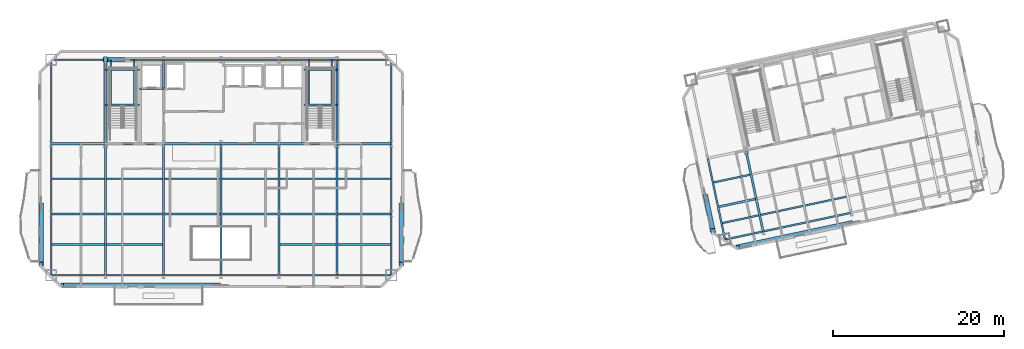
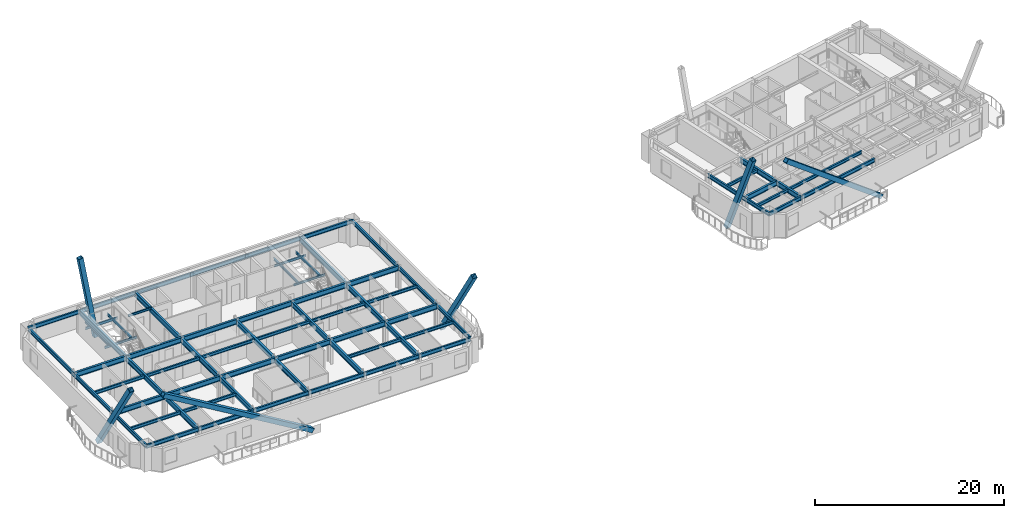
# One storey, part 3 of 13: 72 beams, 6 members.
"""IFC4 building model written with IfcOpenShell, lengths in metres."""

from ifc_helpers import new_model, si_unit, direction, frame, origin, origin_2d, place, context, subcontext, project, spatial, hollow_rectangle, i_section, extrude, material, material_profile, profile_set, type_object, element, save


model = new_model("IFC4")

# Units and contexts
model_context = context("Model", 3, precision=1e-05, world=origin(), true_north=direction((0.0, 1.0)))
body_context = subcontext(model_context, "Body", "Model", "MODEL_VIEW")
ifc_project = project(units=[si_unit("LENGTHUNIT", "METRE"), si_unit("AREAUNIT", "SQUARE_METRE"), si_unit("VOLUMEUNIT", "CUBIC_METRE"), si_unit("PLANEANGLEUNIT", "RADIAN"), si_unit("MASSUNIT", "GRAM", prefix="KILO")], contexts=[model_context])

# Site, building, storey
site_placement = place(None, origin())
site = spatial("IfcSite", under=ifc_project, at=site_placement, CompositionType="ELEMENT")
building_placement = place(site_placement, origin())
building = spatial("IfcBuilding", under=site, at=building_placement, Name="Haevon Station Towers", CompositionType="ELEMENT")
storey_placement = place(building_placement, frame((0.0, 0.0, 146.10009765625)))
storey = spatial("IfcBuildingStorey", under=building, at=storey_placement, Name="L39", CompositionType="ELEMENT", Elevation=146.10009765625)

# Beams
ifc_material_1 = material(Name="Steel S355", Category="steel")
ifc_material_profile_1 = material_profile(ifc_material_1, i_section(OverallWidth=0.25, OverallDepth=0.64990234375, WebThickness=0.012939453125, FlangeThickness=0.02197265625, at=origin_2d()), Name="H-650x250x13x22")
ifc_profile_set_1 = profile_set([ifc_material_profile_1], Name="Steel S355")
beam_type_1 = type_object("IfcBeamType", Name="BM-G650", PredefinedType="BEAM", material=ifc_profile_set_1)
beam_1_placement = place(storey_placement, frame((17.64990234375, 30.0, 2.724853515625), z_axis=(1.0, 0.0, 0.0), x_axis=(0.0, 1.0, 0.0)))
element("IfcBeam", 1, at=beam_1_placement, inside=storey, type_object=beam_type_1, Name="BM-T1U-L39-02-01", PredefinedType="BEAM", context=body_context, shape_type="SweptSolid", body=[
    extrude(i_section(OverallWidth=0.25, OverallDepth=0.64990234375, WebThickness=0.012939453125, FlangeThickness=0.02197265625, at=origin_2d()), origin(), (0.0, 0.0, 1.0), 6.35009765625),
])
for number, where, z_axis, x_axis, name in (
    (2, (24.0, 30.0, 2.724853515625), (1.0, 0.0, 0.0), (0.0, 1.0, 0.0), "BM-T1U-L39-02-02"),
    (3, (30.75, 30.0, 2.724853515625), (1.0, 0.0, 0.0), (0.0, 1.0, 0.0), "BM-T1U-L39-02-03"),
    (4, (37.5, 30.0, 2.724853515625), (1.0, 0.0, 0.0), (0.0, 1.0, 0.0), "BM-T1U-L39-02-04"),
    (5, (44.25, 30.0, 2.724853515625), (1.0, 0.0, 0.0), (0.0, 1.0, 0.0), "BM-T1U-L39-02-05"),
):
    element("IfcBeam", number, at=place(storey_placement, frame(where, z_axis=z_axis, x_axis=x_axis)), inside=storey, type_object=beam_type_1, Name=name, PredefinedType="BEAM", context=body_context, shape_type="SweptSolid", body=[
        extrude(i_section(OverallWidth=0.25, OverallDepth=0.64990234375, WebThickness=0.012939453125, FlangeThickness=0.02197265625, at=origin_2d()), origin(), (0.0, 0.0, 1.0), 6.75),
    ])
for number, where, z_axis, x_axis, name in (
    (6, (51.0, 30.0, 2.724853515625), (1.0, 0.0, 0.0), (0.0, 1.0, 0.0), "BM-T1U-L39-02-06"),
    (7, (17.64990234375, 38.199951171875, 2.724853515625), (1.0, 0.0, 0.0), (0.0, 1.0, 0.0), "BM-T1U-L39-03-01"),
):
    element("IfcBeam", number, at=place(storey_placement, frame(where, z_axis=z_axis, x_axis=x_axis)), inside=storey, type_object=beam_type_1, Name=name, PredefinedType="BEAM", context=body_context, shape_type="SweptSolid", body=[
        extrude(i_section(OverallWidth=0.25, OverallDepth=0.64990234375, WebThickness=0.012939453125, FlangeThickness=0.02197265625, at=origin_2d()), origin(), (0.0, 0.0, 1.0), 6.35009765625),
    ])
for number, where, z_axis, x_axis, name in (
    (8, (24.0, 38.199951171875, 2.724853515625), (1.0, 0.0, 0.0), (0.0, 1.0, 0.0), "BM-T1U-L39-03-02"),
    (9, (30.75, 38.199951171875, 2.724853515625), (1.0, 0.0, 0.0), (0.0, 1.0, 0.0), "BM-T1U-L39-03-03"),
    (10, (37.5, 38.199951171875, 2.724853515625), (1.0, 0.0, 0.0), (0.0, 1.0, 0.0), "BM-T1U-L39-03-04"),
    (11, (44.25, 38.199951171875, 2.724853515625), (1.0, 0.0, 0.0), (0.0, 1.0, 0.0), "BM-T1U-L39-03-05"),
):
    element("IfcBeam", number, at=place(storey_placement, frame(where, z_axis=z_axis, x_axis=x_axis)), inside=storey, type_object=beam_type_1, Name=name, PredefinedType="BEAM", context=body_context, shape_type="SweptSolid", body=[
        extrude(i_section(OverallWidth=0.25, OverallDepth=0.64990234375, WebThickness=0.012939453125, FlangeThickness=0.02197265625, at=origin_2d()), origin(), (0.0, 0.0, 1.0), 6.75),
    ])
beam_2_placement = place(storey_placement, frame((51.0, 38.199951171875, 2.724853515625), z_axis=(1.0, 0.0, 0.0), x_axis=(0.0, 1.0, 0.0)))
element("IfcBeam", 12, at=beam_2_placement, inside=storey, type_object=beam_type_1, Name="BM-T1U-L39-03-06", PredefinedType="BEAM", context=body_context, shape_type="SweptSolid", body=[
    extrude(i_section(OverallWidth=0.25, OverallDepth=0.64990234375, WebThickness=0.012939453125, FlangeThickness=0.02197265625, at=origin_2d()), origin(), (0.0, 0.0, 1.0), 6.35009765625),
])
beam_3_placement = place(storey_placement, frame((24.0, 22.85009765625, 2.724853515625), z_axis=(0.0, 1.0, 0.0), x_axis=(-1.0, 0.0, 0.0)))
element("IfcBeam", 13, at=beam_3_placement, inside=storey, type_object=beam_type_1, Name="BM-T1V-L39-02-01", PredefinedType="BEAM", context=body_context, shape_type="SweptSolid", body=[
    extrude(i_section(OverallWidth=0.25, OverallDepth=0.64990234375, WebThickness=0.012939453125, FlangeThickness=0.02197265625, at=origin_2d()), origin(), (0.0, 0.0, 1.0), 7.14990234375),
])
beam_4_placement = place(storey_placement, frame((24.0, 30.0, 2.724853515625), z_axis=(0.0, 1.0, 0.0), x_axis=(-1.0, 0.0, 0.0)))
element("IfcBeam", 14, at=beam_4_placement, inside=storey, type_object=beam_type_1, Name="BM-T1V-L39-02-02", PredefinedType="BEAM", context=body_context, shape_type="SweptSolid", body=[
    extrude(i_section(OverallWidth=0.25, OverallDepth=0.64990234375, WebThickness=0.012939453125, FlangeThickness=0.02197265625, at=origin_2d()), origin(), (0.0, 0.0, 1.0), 8.199951171875),
])
beam_5_placement = place(storey_placement, frame((24.0, 38.199951171875, 2.724853515625), z_axis=(0.0, 1.0, 0.0), x_axis=(-1.0, 0.0, 0.0)))
element("IfcBeam", 15, at=beam_5_placement, inside=storey, type_object=beam_type_1, Name="BM-T1V-L39-02-03", PredefinedType="BEAM", context=body_context, shape_type="SweptSolid", body=[
    extrude(i_section(OverallWidth=0.25, OverallDepth=0.64990234375, WebThickness=0.012939453125, FlangeThickness=0.02197265625, at=origin_2d()), origin(), (0.0, 0.0, 1.0), 9.800048828125),
])
beam_6_placement = place(storey_placement, frame((30.75, 22.85009765625, 2.724853515625), z_axis=(0.0, 1.0, 0.0), x_axis=(-1.0, 0.0, 0.0)))
element("IfcBeam", 16, at=beam_6_placement, inside=storey, type_object=beam_type_1, Name="BM-T1V-L39-03-01", PredefinedType="BEAM", context=body_context, shape_type="SweptSolid", body=[
    extrude(i_section(OverallWidth=0.25, OverallDepth=0.64990234375, WebThickness=0.012939453125, FlangeThickness=0.02197265625, at=origin_2d()), origin(), (0.0, 0.0, 1.0), 7.14990234375),
])
beam_7_placement = place(storey_placement, frame((30.75, 30.0, 2.724853515625), z_axis=(0.0, 1.0, 0.0), x_axis=(-1.0, 0.0, 0.0)))
element("IfcBeam", 17, at=beam_7_placement, inside=storey, type_object=beam_type_1, Name="BM-T1V-L39-03-02", PredefinedType="BEAM", context=body_context, shape_type="SweptSolid", body=[
    extrude(i_section(OverallWidth=0.25, OverallDepth=0.64990234375, WebThickness=0.012939453125, FlangeThickness=0.02197265625, at=origin_2d()), origin(), (0.0, 0.0, 1.0), 8.199951171875),
])
beam_8_placement = place(storey_placement, frame((30.75, 38.199951171875, 2.724853515625), z_axis=(0.0, 1.0, 0.0), x_axis=(-1.0, 0.0, 0.0)))
element("IfcBeam", 18, at=beam_8_placement, inside=storey, type_object=beam_type_1, Name="BM-T1V-L39-03-03", PredefinedType="BEAM", context=body_context, shape_type="SweptSolid", body=[
    extrude(i_section(OverallWidth=0.25, OverallDepth=0.64990234375, WebThickness=0.012939453125, FlangeThickness=0.02197265625, at=origin_2d()), origin(), (0.0, 0.0, 1.0), 9.800048828125),
])
beam_9_placement = place(storey_placement, frame((37.5, 22.85009765625, 2.724853515625), z_axis=(0.0, 1.0, 0.0), x_axis=(-1.0, 0.0, 0.0)))
element("IfcBeam", 19, at=beam_9_placement, inside=storey, type_object=beam_type_1, Name="BM-T1V-L39-04-01", PredefinedType="BEAM", context=body_context, shape_type="SweptSolid", body=[
    extrude(i_section(OverallWidth=0.25, OverallDepth=0.64990234375, WebThickness=0.012939453125, FlangeThickness=0.02197265625, at=origin_2d()), origin(), (0.0, 0.0, 1.0), 7.14990234375),
])
beam_10_placement = place(storey_placement, frame((37.5, 30.0, 2.724853515625), z_axis=(0.0, 1.0, 0.0), x_axis=(-1.0, 0.0, 0.0)))
element("IfcBeam", 20, at=beam_10_placement, inside=storey, type_object=beam_type_1, Name="BM-T1V-L39-04-02", PredefinedType="BEAM", context=body_context, shape_type="SweptSolid", body=[
    extrude(i_section(OverallWidth=0.25, OverallDepth=0.64990234375, WebThickness=0.012939453125, FlangeThickness=0.02197265625, at=origin_2d()), origin(), (0.0, 0.0, 1.0), 8.199951171875),
])
beam_11_placement = place(storey_placement, frame((44.25, 22.85009765625, 2.724853515625), z_axis=(0.0, 1.0, 0.0), x_axis=(-1.0, 0.0, 0.0)))
element("IfcBeam", 21, at=beam_11_placement, inside=storey, type_object=beam_type_1, Name="BM-T1V-L39-05-01", PredefinedType="BEAM", context=body_context, shape_type="SweptSolid", body=[
    extrude(i_section(OverallWidth=0.25, OverallDepth=0.64990234375, WebThickness=0.012939453125, FlangeThickness=0.02197265625, at=origin_2d()), origin(), (0.0, 0.0, 1.0), 7.14990234375),
])
beam_12_placement = place(storey_placement, frame((44.25, 30.0, 2.724853515625), z_axis=(0.0, 1.0, 0.0), x_axis=(-1.0, 0.0, 0.0)))
element("IfcBeam", 22, at=beam_12_placement, inside=storey, type_object=beam_type_1, Name="BM-T1V-L39-05-02", PredefinedType="BEAM", context=body_context, shape_type="SweptSolid", body=[
    extrude(i_section(OverallWidth=0.25, OverallDepth=0.64990234375, WebThickness=0.012939453125, FlangeThickness=0.02197265625, at=origin_2d()), origin(), (0.0, 0.0, 1.0), 8.199951171875),
])
beam_13_placement = place(storey_placement, frame((51.0, 22.85009765625, 2.724853515625), z_axis=(0.0, 1.0, 0.0), x_axis=(-1.0, 0.0, 0.0)))
element("IfcBeam", 23, at=beam_13_placement, inside=storey, type_object=beam_type_1, Name="BM-T1V-L39-06-01", PredefinedType="BEAM", context=body_context, shape_type="SweptSolid", body=[
    extrude(i_section(OverallWidth=0.25, OverallDepth=0.64990234375, WebThickness=0.012939453125, FlangeThickness=0.02197265625, at=origin_2d()), origin(), (0.0, 0.0, 1.0), 7.14990234375),
])
beam_14_placement = place(storey_placement, frame((51.0, 30.0, 2.724853515625), z_axis=(0.0, 1.0, 0.0), x_axis=(-1.0, 0.0, 0.0)))
element("IfcBeam", 24, at=beam_14_placement, inside=storey, type_object=beam_type_1, Name="BM-T1V-L39-06-02", PredefinedType="BEAM", context=body_context, shape_type="SweptSolid", body=[
    extrude(i_section(OverallWidth=0.25, OverallDepth=0.64990234375, WebThickness=0.012939453125, FlangeThickness=0.02197265625, at=origin_2d()), origin(), (0.0, 0.0, 1.0), 8.199951171875),
])
beam_15_placement = place(storey_placement, frame((51.0, 38.199951171875, 2.724853515625), z_axis=(0.0, 1.0, 0.0), x_axis=(-1.0, 0.0, 0.0)))
element("IfcBeam", 25, at=beam_15_placement, inside=storey, type_object=beam_type_1, Name="BM-T1V-L39-06-03", PredefinedType="BEAM", context=body_context, shape_type="SweptSolid", body=[
    extrude(i_section(OverallWidth=0.25, OverallDepth=0.64990234375, WebThickness=0.012939453125, FlangeThickness=0.02197265625, at=origin_2d()), origin(), (0.0, 0.0, 1.0), 9.800048828125),
])
beam_16_placement = place(storey_placement, frame((95.507568359375, 30.8232421875, 2.724853515625), z_axis=(0.978157487225, 0.207865173094, 0.0), x_axis=(-0.207865173094, 0.978157487225, 0.0)))
element("IfcBeam", 26, at=beam_16_placement, inside=storey, type_object=beam_type_1, Name="BM-T2U-L39-02-01", PredefinedType="BEAM", context=body_context, shape_type="SweptSolid", body=[
    extrude(i_section(OverallWidth=0.25, OverallDepth=0.64990234375, WebThickness=0.012939453125, FlangeThickness=0.02197265625, at=origin_2d()), origin(), (0.0, 0.0, 1.0), 4.550048828125),
])
beam_17_placement = place(storey_placement, frame((100.76904296875, 27.954345703125, 2.724853515625), z_axis=(-0.207899934746, 0.97815009949, 0.0), x_axis=(-0.97815009949, -0.207899934746, 0.0)))
element("IfcBeam", 27, at=beam_17_placement, inside=storey, type_object=beam_type_1, Name="BM-T2V-L39-02-01", PredefinedType="BEAM", context=body_context, shape_type="SweptSolid", body=[
    extrude(i_section(OverallWidth=0.25, OverallDepth=0.64990234375, WebThickness=0.012939453125, FlangeThickness=0.02197265625, at=origin_2d()), origin(), (0.0, 0.0, 1.0), 3.89990234375),
])
beam_18_placement = place(storey_placement, frame((99.958251953125, 31.76904296875, 2.724853515625), z_axis=(-0.207896009217, 0.97815093383, 0.0), x_axis=(-0.97815093383, -0.207896009217, 0.0)))
element("IfcBeam", 28, at=beam_18_placement, inside=storey, type_object=beam_type_1, Name="BM-T2V-L39-02-02", PredefinedType="BEAM", context=body_context, shape_type="SweptSolid", body=[
    extrude(i_section(OverallWidth=0.25, OverallDepth=0.64990234375, WebThickness=0.012939453125, FlangeThickness=0.02197265625, at=origin_2d()), origin(), (0.0, 0.0, 1.0), 5.800048828125),
])
ifc_material_profile_2 = material_profile(ifc_material_1, i_section(OverallWidth=0.199951171875, OverallDepth=0.39990234375, WebThickness=0.008056640625, FlangeThickness=0.012939453125, at=origin_2d()), Name="H-400x200x8x13")
ifc_profile_set_2 = profile_set([ifc_material_profile_2], Name="Steel S355")
beam_type_2 = type_object("IfcBeamType", Name="BM-J400", PredefinedType="JOIST", material=ifc_profile_set_2)
beam_19_placement = place(storey_placement, frame((17.760009765625, 26.425048828125, 2.849853515625), z_axis=(1.0, 0.0, 0.0), x_axis=(0.0, 1.0, 0.0)))
element("IfcBeam", 29, at=beam_19_placement, inside=storey, type_object=beam_type_2, Name="BM-T1J-L39-01-01", PredefinedType="JOIST", context=body_context, shape_type="SweptSolid", body=[
    extrude(i_section(OverallWidth=0.199951171875, OverallDepth=0.39990234375, WebThickness=0.008056640625, FlangeThickness=0.012939453125, at=origin_2d()), origin(), (0.0, 0.0, 1.0), 6.1298828125),
])
for number, where, z_axis, x_axis, name in (
    (30, (24.110107421875, 26.425048828125, 2.849853515625), (1.0, 0.0, 0.0), (0.0, 1.0, 0.0), "BM-T1J-L39-01-02"),
    (31, (44.360107421875, 26.425048828125, 2.849853515625), (1.0, 0.0, 0.0), (0.0, 1.0, 0.0), "BM-T1J-L39-01-05"),
):
    element("IfcBeam", number, at=place(storey_placement, frame(where, z_axis=z_axis, x_axis=x_axis)), inside=storey, type_object=beam_type_2, Name=name, PredefinedType="JOIST", context=body_context, shape_type="SweptSolid", body=[
        extrude(i_section(OverallWidth=0.199951171875, OverallDepth=0.39990234375, WebThickness=0.008056640625, FlangeThickness=0.012939453125, at=origin_2d()), origin(), (0.0, 0.0, 1.0), 6.52978515625),
    ])
for number, where, z_axis, x_axis, name in (
    (32, (51.110107421875, 26.425048828125, 2.849853515625), (1.0, 0.0, 0.0), (0.0, 1.0, 0.0), "BM-T1J-L39-01-06"),
    (33, (17.760009765625, 34.10009765625, 2.849853515625), (1.0, 0.0, 0.0), (0.0, 1.0, 0.0), "BM-T1J-L39-02-01"),
):
    element("IfcBeam", number, at=place(storey_placement, frame(where, z_axis=z_axis, x_axis=x_axis)), inside=storey, type_object=beam_type_2, Name=name, PredefinedType="JOIST", context=body_context, shape_type="SweptSolid", body=[
        extrude(i_section(OverallWidth=0.199951171875, OverallDepth=0.39990234375, WebThickness=0.008056640625, FlangeThickness=0.012939453125, at=origin_2d()), origin(), (0.0, 0.0, 1.0), 6.1298828125),
    ])
for number, where, z_axis, x_axis, name in (
    (34, (24.110107421875, 34.10009765625, 2.849853515625), (1.0, 0.0, 0.0), (0.0, 1.0, 0.0), "BM-T1J-L39-02-02"),
    (35, (30.860107421875, 34.10009765625, 2.849853515625), (1.0, 0.0, 0.0), (0.0, 1.0, 0.0), "BM-T1J-L39-02-03"),
    (36, (37.610107421875, 34.10009765625, 2.849853515625), (1.0, 0.0, 0.0), (0.0, 1.0, 0.0), "BM-T1J-L39-02-04"),
    (37, (44.360107421875, 34.10009765625, 2.849853515625), (1.0, 0.0, 0.0), (0.0, 1.0, 0.0), "BM-T1J-L39-02-05"),
):
    element("IfcBeam", number, at=place(storey_placement, frame(where, z_axis=z_axis, x_axis=x_axis)), inside=storey, type_object=beam_type_2, Name=name, PredefinedType="JOIST", context=body_context, shape_type="SweptSolid", body=[
        extrude(i_section(OverallWidth=0.199951171875, OverallDepth=0.39990234375, WebThickness=0.008056640625, FlangeThickness=0.012939453125, at=origin_2d()), origin(), (0.0, 0.0, 1.0), 6.52978515625),
    ])
beam_20_placement = place(storey_placement, frame((51.110107421875, 34.10009765625, 2.849853515625), z_axis=(1.0, 0.0, 0.0), x_axis=(0.0, 1.0, 0.0)))
element("IfcBeam", 38, at=beam_20_placement, inside=storey, type_object=beam_type_2, Name="BM-T1J-L39-02-06", PredefinedType="JOIST", context=body_context, shape_type="SweptSolid", body=[
    extrude(i_section(OverallWidth=0.199951171875, OverallDepth=0.39990234375, WebThickness=0.008056640625, FlangeThickness=0.012939453125, at=origin_2d()), origin(), (0.0, 0.0, 1.0), 6.1298828125),
])
beam_21_placement = place(storey_placement, frame((96.020751953125, 28.938720703125, 2.849853515625), z_axis=(0.978152545287, 0.207888427166, 0.0), x_axis=(-0.207888427166, 0.978152545287, 0.0)))
element("IfcBeam", 39, at=beam_21_placement, inside=storey, type_object=beam_type_2, Name="BM-T2J-L39-01-01", PredefinedType="JOIST", context=body_context, shape_type="SweptSolid", body=[
    extrude(i_section(OverallWidth=0.199951171875, OverallDepth=0.39990234375, WebThickness=0.008056640625, FlangeThickness=0.012939453125, at=origin_2d()), origin(), (0.0, 0.0, 1.0), 4.329833984375),
])
beam_22_placement = place(storey_placement, frame((100.47119140625, 29.884521484375, 2.849853515625), z_axis=(0.978145509903, 0.207921527161, 0.0), x_axis=(-0.207921527161, 0.978145509903, 0.0)))
element("IfcBeam", 40, at=beam_22_placement, inside=storey, type_object=beam_type_2, Name="BM-T2J-L39-01-02", PredefinedType="JOIST", context=body_context, shape_type="SweptSolid", body=[
    extrude(i_section(OverallWidth=0.199951171875, OverallDepth=0.39990234375, WebThickness=0.008056640625, FlangeThickness=0.012939453125, at=origin_2d()), origin(), (0.0, 0.0, 1.0), 10.280029296875),
])
beam_23_placement = place(storey_placement, frame((95.01220703125, 33.6826171875, 2.849853515625), z_axis=(0.978143516228, 0.20793090598, 0.0), x_axis=(-0.20793090598, 0.978143516228, 0.0)))
element("IfcBeam", 41, at=beam_23_placement, inside=storey, type_object=beam_type_2, Name="BM-T2J-L39-02-01", PredefinedType="JOIST", context=body_context, shape_type="SweptSolid", body=[
    extrude(i_section(OverallWidth=0.199951171875, OverallDepth=0.39990234375, WebThickness=0.008056640625, FlangeThickness=0.012939453125, at=origin_2d()), origin(), (0.0, 0.0, 1.0), 4.330322265625),
])
ifc_material_profile_3 = material_profile(ifc_material_1, i_section(OverallWidth=0.14990234375, OverallDepth=0.300048828125, WebThickness=0.006591796875, FlangeThickness=0.009033203125, at=origin_2d()), Name="H-300x150x6.5x9")
ifc_profile_set_3 = profile_set([ifc_material_profile_3], Name="Steel S355")
beam_type_3 = type_object("IfcBeamType", Name="BM-LIN300", PredefinedType="LINTEL", material=ifc_profile_set_3)
for number, where, z_axis, x_axis, name in (
    (42, (24.0, 42.743896484375, 1.2998046875), (1.0, 0.0, 0.0), (0.0, 1.0, 0.0), "BM-ST1L-L39-1-S"),
    (43, (24.0, 46.820068359375, 1.2998046875), (1.0, 0.0, 0.0), (0.0, 1.0, 0.0), "BM-ST1L-L39-1-N"),
):
    element("IfcBeam", number, at=place(storey_placement, frame(where, z_axis=z_axis, x_axis=x_axis)), inside=storey, type_object=beam_type_3, Name=name, PredefinedType="LINTEL", context=body_context, shape_type="SweptSolid", body=[
        extrude(i_section(OverallWidth=0.14990234375, OverallDepth=0.300048828125, WebThickness=0.006591796875, FlangeThickness=0.009033203125, at=origin_2d()), origin(), (0.0, 0.0, 1.0), 3.949951171875),
    ])
for number, where, z_axis, x_axis, name in (
    (44, (24.60009765625, 42.743896484375, 1.2998046875), (0.0, 1.0, 0.0), (-1.0, 0.0, 0.0), "BM-ST1L-L39-1-W"),
    (45, (27.35009765625, 42.743896484375, 1.2998046875), (0.0, 1.0, 0.0), (-1.0, 0.0, 0.0), "BM-ST1L-L39-1-E"),
):
    element("IfcBeam", number, at=place(storey_placement, frame(where, z_axis=z_axis, x_axis=x_axis)), inside=storey, type_object=beam_type_3, Name=name, PredefinedType="LINTEL", context=body_context, shape_type="SweptSolid", body=[
        extrude(i_section(OverallWidth=0.14990234375, OverallDepth=0.300048828125, WebThickness=0.006591796875, FlangeThickness=0.009033203125, at=origin_2d()), origin(), (0.0, 0.0, 1.0), 5.256103515625),
    ])
for number, where, z_axis, x_axis, name in (
    (46, (47.14990234375, 42.743896484375, 1.2998046875), (1.0, 0.0, 0.0), (0.0, 1.0, 0.0), "BM-ST2L-L39-1-S"),
    (47, (47.14990234375, 46.820068359375, 1.2998046875), (1.0, 0.0, 0.0), (0.0, 1.0, 0.0), "BM-ST2L-L39-1-N"),
):
    element("IfcBeam", number, at=place(storey_placement, frame(where, z_axis=z_axis, x_axis=x_axis)), inside=storey, type_object=beam_type_3, Name=name, PredefinedType="LINTEL", context=body_context, shape_type="SweptSolid", body=[
        extrude(i_section(OverallWidth=0.14990234375, OverallDepth=0.300048828125, WebThickness=0.006591796875, FlangeThickness=0.009033203125, at=origin_2d()), origin(), (0.0, 0.0, 1.0), 3.85009765625),
    ])
for number, where, z_axis, x_axis, name in (
    (48, (47.75, 42.743896484375, 1.2998046875), (0.0, 1.0, 0.0), (-1.0, 0.0, 0.0), "BM-ST2L-L39-1-W"),
    (49, (50.39990234375, 42.743896484375, 1.2998046875), (0.0, 1.0, 0.0), (-1.0, 0.0, 0.0), "BM-ST2L-L39-1-E"),
):
    element("IfcBeam", number, at=place(storey_placement, frame(where, z_axis=z_axis, x_axis=x_axis)), inside=storey, type_object=beam_type_3, Name=name, PredefinedType="LINTEL", context=body_context, shape_type="SweptSolid", body=[
        extrude(i_section(OverallWidth=0.14990234375, OverallDepth=0.300048828125, WebThickness=0.006591796875, FlangeThickness=0.009033203125, at=origin_2d()), origin(), (0.0, 0.0, 1.0), 5.256103515625),
    ])
beam_24_placement = place(storey_placement, frame((27.949951171875, 44.60009765625, 2.89990234375), z_axis=(1.0, 0.0, 0.0), x_axis=(0.0, 1.0, 0.0)))
element("IfcBeam", 50, at=beam_24_placement, inside=storey, type_object=beam_type_3, Name="BM-T1LIN-L39", PredefinedType="LINTEL", context=body_context, shape_type="SweptSolid", body=[
    extrude(i_section(OverallWidth=0.14990234375, OverallDepth=0.300048828125, WebThickness=0.006591796875, FlangeThickness=0.009033203125, at=origin_2d()), origin(), (0.0, 0.0, 1.0), 2.85009765625),
])
ifc_material_profile_4 = material_profile(ifc_material_1, i_section(OverallWidth=0.199951171875, OverallDepth=0.5, WebThickness=0.010009765625, FlangeThickness=0.01611328125, at=origin_2d()), Name="H-500x200x10x16")
ifc_profile_set_4 = profile_set([ifc_material_profile_4], Name="Steel S355")
beam_type_4 = type_object("IfcBeamType", Name="BM-SP500", PredefinedType="SPANDREL", material=ifc_profile_set_4)
beam_25_placement = place(storey_placement, frame((17.64990234375, 22.85009765625, 2.7998046875), z_axis=(1.0, 0.0, 0.0), x_axis=(0.0, 1.0, 0.0)))
element("IfcBeam", 51, at=beam_25_placement, inside=storey, type_object=beam_type_4, Name="BM-T1U-L39-01-01", PredefinedType="SPANDREL", context=body_context, shape_type="SweptSolid", body=[
    extrude(i_section(OverallWidth=0.199951171875, OverallDepth=0.5, WebThickness=0.010009765625, FlangeThickness=0.01611328125, at=origin_2d()), origin(), (0.0, 0.0, 1.0), 6.35009765625),
])
for number, where, z_axis, x_axis, name in (
    (52, (24.0, 22.85009765625, 2.7998046875), (1.0, 0.0, 0.0), (0.0, 1.0, 0.0), "BM-T1U-L39-01-02"),
    (53, (30.75, 22.85009765625, 2.7998046875), (1.0, 0.0, 0.0), (0.0, 1.0, 0.0), "BM-T1U-L39-01-03"),
    (54, (37.5, 22.85009765625, 2.7998046875), (1.0, 0.0, 0.0), (0.0, 1.0, 0.0), "BM-T1U-L39-01-04"),
    (55, (44.25, 22.85009765625, 2.7998046875), (1.0, 0.0, 0.0), (0.0, 1.0, 0.0), "BM-T1U-L39-01-05"),
):
    element("IfcBeam", number, at=place(storey_placement, frame(where, z_axis=z_axis, x_axis=x_axis)), inside=storey, type_object=beam_type_4, Name=name, PredefinedType="SPANDREL", context=body_context, shape_type="SweptSolid", body=[
        extrude(i_section(OverallWidth=0.199951171875, OverallDepth=0.5, WebThickness=0.010009765625, FlangeThickness=0.01611328125, at=origin_2d()), origin(), (0.0, 0.0, 1.0), 6.75),
    ])
for number, where, z_axis, x_axis, name in (
    (56, (51.0, 22.85009765625, 2.7998046875), (1.0, 0.0, 0.0), (0.0, 1.0, 0.0), "BM-T1U-L39-01-06"),
    (57, (17.64990234375, 48.0, 2.7998046875), (1.0, 0.0, 0.0), (0.0, 1.0, 0.0), "BM-T1U-L39-04-01"),
):
    element("IfcBeam", number, at=place(storey_placement, frame(where, z_axis=z_axis, x_axis=x_axis)), inside=storey, type_object=beam_type_4, Name=name, PredefinedType="SPANDREL", context=body_context, shape_type="SweptSolid", body=[
        extrude(i_section(OverallWidth=0.199951171875, OverallDepth=0.5, WebThickness=0.010009765625, FlangeThickness=0.01611328125, at=origin_2d()), origin(), (0.0, 0.0, 1.0), 6.35009765625),
    ])
for number, where, z_axis, x_axis, name in (
    (58, (24.0, 48.0, 2.7998046875), (1.0, 0.0, 0.0), (0.0, 1.0, 0.0), "BM-T1U-L39-04-02"),
    (59, (30.75, 48.0, 2.7998046875), (1.0, 0.0, 0.0), (0.0, 1.0, 0.0), "BM-T1U-L39-04-03"),
    (60, (37.5, 48.0, 2.7998046875), (1.0, 0.0, 0.0), (0.0, 1.0, 0.0), "BM-T1U-L39-04-04"),
    (61, (44.25, 48.0, 2.7998046875), (1.0, 0.0, 0.0), (0.0, 1.0, 0.0), "BM-T1U-L39-04-05"),
):
    element("IfcBeam", number, at=place(storey_placement, frame(where, z_axis=z_axis, x_axis=x_axis)), inside=storey, type_object=beam_type_4, Name=name, PredefinedType="SPANDREL", context=body_context, shape_type="SweptSolid", body=[
        extrude(i_section(OverallWidth=0.199951171875, OverallDepth=0.5, WebThickness=0.010009765625, FlangeThickness=0.01611328125, at=origin_2d()), origin(), (0.0, 0.0, 1.0), 6.75),
    ])
beam_26_placement = place(storey_placement, frame((51.0, 48.0, 2.7998046875), z_axis=(1.0, 0.0, 0.0), x_axis=(0.0, 1.0, 0.0)))
element("IfcBeam", 62, at=beam_26_placement, inside=storey, type_object=beam_type_4, Name="BM-T1U-L39-04-06", PredefinedType="SPANDREL", context=body_context, shape_type="SweptSolid", body=[
    extrude(i_section(OverallWidth=0.199951171875, OverallDepth=0.5, WebThickness=0.010009765625, FlangeThickness=0.01611328125, at=origin_2d()), origin(), (0.0, 0.0, 1.0), 6.35009765625),
])
beam_27_placement = place(storey_placement, frame((17.64990234375, 22.85009765625, 2.7998046875), z_axis=(0.0, 1.0, 0.0), x_axis=(-1.0, 0.0, 0.0)))
element("IfcBeam", 63, at=beam_27_placement, inside=storey, type_object=beam_type_4, Name="BM-T1V-L39-01-01", PredefinedType="SPANDREL", context=body_context, shape_type="SweptSolid", body=[
    extrude(i_section(OverallWidth=0.199951171875, OverallDepth=0.5, WebThickness=0.010009765625, FlangeThickness=0.01611328125, at=origin_2d()), origin(), (0.0, 0.0, 1.0), 7.14990234375),
])
beam_28_placement = place(storey_placement, frame((17.64990234375, 30.0, 2.7998046875), z_axis=(0.0, 1.0, 0.0), x_axis=(-1.0, 0.0, 0.0)))
element("IfcBeam", 64, at=beam_28_placement, inside=storey, type_object=beam_type_4, Name="BM-T1V-L39-01-02", PredefinedType="SPANDREL", context=body_context, shape_type="SweptSolid", body=[
    extrude(i_section(OverallWidth=0.199951171875, OverallDepth=0.5, WebThickness=0.010009765625, FlangeThickness=0.01611328125, at=origin_2d()), origin(), (0.0, 0.0, 1.0), 8.199951171875),
])
beam_29_placement = place(storey_placement, frame((17.64990234375, 38.199951171875, 2.7998046875), z_axis=(0.0, 1.0, 0.0), x_axis=(-1.0, 0.0, 0.0)))
element("IfcBeam", 65, at=beam_29_placement, inside=storey, type_object=beam_type_4, Name="BM-T1V-L39-01-03", PredefinedType="SPANDREL", context=body_context, shape_type="SweptSolid", body=[
    extrude(i_section(OverallWidth=0.199951171875, OverallDepth=0.5, WebThickness=0.010009765625, FlangeThickness=0.01611328125, at=origin_2d()), origin(), (0.0, 0.0, 1.0), 9.800048828125),
])
beam_30_placement = place(storey_placement, frame((57.35009765625, 22.85009765625, 2.7998046875), z_axis=(0.0, 1.0, 0.0), x_axis=(-1.0, 0.0, 0.0)))
element("IfcBeam", 66, at=beam_30_placement, inside=storey, type_object=beam_type_4, Name="BM-T1V-L39-07-01", PredefinedType="SPANDREL", context=body_context, shape_type="SweptSolid", body=[
    extrude(i_section(OverallWidth=0.199951171875, OverallDepth=0.5, WebThickness=0.010009765625, FlangeThickness=0.01611328125, at=origin_2d()), origin(), (0.0, 0.0, 1.0), 7.14990234375),
])
beam_31_placement = place(storey_placement, frame((57.35009765625, 30.0, 2.7998046875), z_axis=(0.0, 1.0, 0.0), x_axis=(-1.0, 0.0, 0.0)))
element("IfcBeam", 67, at=beam_31_placement, inside=storey, type_object=beam_type_4, Name="BM-T1V-L39-07-02", PredefinedType="SPANDREL", context=body_context, shape_type="SweptSolid", body=[
    extrude(i_section(OverallWidth=0.199951171875, OverallDepth=0.5, WebThickness=0.010009765625, FlangeThickness=0.01611328125, at=origin_2d()), origin(), (0.0, 0.0, 1.0), 8.199951171875),
])
beam_32_placement = place(storey_placement, frame((57.35009765625, 38.199951171875, 2.7998046875), z_axis=(0.0, 1.0, 0.0), x_axis=(-1.0, 0.0, 0.0)))
element("IfcBeam", 68, at=beam_32_placement, inside=storey, type_object=beam_type_4, Name="BM-T1V-L39-07-03", PredefinedType="SPANDREL", context=body_context, shape_type="SweptSolid", body=[
    extrude(i_section(OverallWidth=0.199951171875, OverallDepth=0.5, WebThickness=0.010009765625, FlangeThickness=0.01611328125, at=origin_2d()), origin(), (0.0, 0.0, 1.0), 9.800048828125),
])
beam_33_placement = place(storey_placement, frame((96.318603515625, 27.00830078125, 2.7998046875), z_axis=(0.978144256617, 0.207927423029, 0.0), x_axis=(-0.207927423029, 0.978144256617, 0.0)))
element("IfcBeam", 69, at=beam_33_placement, inside=storey, type_object=beam_type_4, Name="BM-T2U-L39-01-01", PredefinedType="SPANDREL", context=body_context, shape_type="SweptSolid", body=[
    extrude(i_section(OverallWidth=0.199951171875, OverallDepth=0.5, WebThickness=0.010009765625, FlangeThickness=0.01611328125, at=origin_2d()), origin(), (0.0, 0.0, 1.0), 4.5498046875),
])
beam_34_placement = place(storey_placement, frame((100.76904296875, 27.954345703125, 2.7998046875), z_axis=(0.978146794194, 0.207915485254, 0.0), x_axis=(-0.207915485254, 0.978146794194, 0.0)))
element("IfcBeam", 70, at=beam_34_placement, inside=storey, type_object=beam_type_4, Name="BM-T2U-L39-01-02", PredefinedType="SPANDREL", context=body_context, shape_type="SweptSolid", body=[
    extrude(i_section(OverallWidth=0.199951171875, OverallDepth=0.5, WebThickness=0.010009765625, FlangeThickness=0.01611328125, at=origin_2d()), origin(), (0.0, 0.0, 1.0), 10.5),
])
beam_35_placement = place(storey_placement, frame((96.318603515625, 27.00830078125, 2.7998046875), z_axis=(-0.207947096322, 0.978140074392, 0.0), x_axis=(-0.978140074392, -0.207947096322, 0.0)))
element("IfcBeam", 71, at=beam_35_placement, inside=storey, type_object=beam_type_4, Name="BM-T2V-L39-01-01", PredefinedType="SPANDREL", context=body_context, shape_type="SweptSolid", body=[
    extrude(i_section(OverallWidth=0.199951171875, OverallDepth=0.5, WebThickness=0.010009765625, FlangeThickness=0.01611328125, at=origin_2d()), origin(), (0.0, 0.0, 1.0), 3.900146484375),
])
beam_36_placement = place(storey_placement, frame((95.507568359375, 30.8232421875, 2.7998046875), z_axis=(-0.207904569273, 0.978149114438, 0.0), x_axis=(-0.978149114438, -0.207904569273, 0.0)))
element("IfcBeam", 72, at=beam_36_placement, inside=storey, type_object=beam_type_4, Name="BM-T2V-L39-01-02", PredefinedType="SPANDREL", context=body_context, shape_type="SweptSolid", body=[
    extrude(i_section(OverallWidth=0.199951171875, OverallDepth=0.5, WebThickness=0.010009765625, FlangeThickness=0.01611328125, at=origin_2d()), origin(), (0.0, 0.0, 1.0), 5.7998046875),
])

# Members
ifc_material_2 = material(Name="Steel S460", Category="steel")
ifc_material_profile_5 = material_profile(ifc_material_2, hollow_rectangle(XDim=0.550048828125, YDim=0.550048828125, WallThickness=0.028076171875, at=origin_2d()), Name="RHS-550x550x28")
ifc_profile_set_5 = profile_set([ifc_material_profile_5], Name="Steel S460")
member_type = type_object("IfcMemberType", Name="MB-550", PredefinedType="BRACE", material=ifc_profile_set_5)
member_1_placement = place(storey_placement, frame((37.253662109375, 21.679931640625, -1.18798828125), z_axis=(-0.858406871203, 0.0, 0.512969437172), x_axis=(0.0, -1.0, 0.0)))
element("IfcMember", 73, at=member_1_placement, inside=storey, type_object=member_type, Name="BR-T1MB-T05-S-D2B", PredefinedType="BRACE", context=body_context, shape_type="SweptSolid", body=[
    extrude(hollow_rectangle(XDim=0.550048828125, YDim=0.550048828125, WallThickness=0.028076171875, at=origin_2d()), origin(), (0.0, 0.0, 1.0), 21.322998046875),
])
member_2_placement = place(storey_placement, frame((25.924560546875, 48.0, -1.052490234375), z_axis=(-0.175397109417, 0.0, 0.984497767396), x_axis=(0.0, -1.0, 0.0)))
element("IfcMember", 74, at=member_2_placement, inside=storey, type_object=member_type, Name="BR-T1MB-T05-N-D2B", PredefinedType="BRACE", context=body_context, shape_type="SweptSolid", body=[
    extrude(hollow_rectangle(XDim=0.550048828125, YDim=0.550048828125, WallThickness=0.028076171875, at=origin_2d()), origin(), (0.0, 0.0, 1.0), 10.97265625),
])
for number, where, z_axis, x_axis, name in (
    (75, (16.47998046875, 31.021484375, -1.0927734375), (0.0, -0.53530182033, 0.844660855699), (1.0, 0.0, 0.0), "BR-T1MB-T05-W-D2B"),
    (76, (58.52001953125, 31.021484375, -1.0927734375), (0.0, -0.53530182033, 0.844660855699), (1.0, 0.0, 0.0), "BR-T1MB-T05-E-D2B"),
):
    element("IfcMember", number, at=place(storey_placement, frame(where, z_axis=z_axis, x_axis=x_axis)), inside=storey, type_object=member_type, Name=name, PredefinedType="BRACE", context=body_context, shape_type="SweptSolid", body=[
        extrude(hollow_rectangle(XDim=0.550048828125, YDim=0.550048828125, WallThickness=0.028076171875, at=origin_2d()), origin(), (0.0, 0.0, 1.0), 12.8369140625),
    ])
member_3_placement = place(storey_placement, frame((111.064453125, 28.946533203125, -1.155029296875), z_axis=(-0.76150481994, -0.161855780439, 0.627624980021), x_axis=(0.207903007173, -0.978149446459, 0.0)))
element("IfcMember", 77, at=member_3_placement, inside=storey, type_object=member_type, Name="BR-T2MB-T05-S-D2B", PredefinedType="BRACE", context=body_context, shape_type="SweptSolid", body=[
    extrude(hollow_rectangle(XDim=0.550048828125, YDim=0.550048828125, WallThickness=0.028076171875, at=origin_2d()), origin(), (0.0, 0.0, 1.0), 17.375),
])
member_4_placement = place(storey_placement, frame((94.0517578125, 32.04541015625, -1.066650390625), z_axis=(0.073661984953, -0.346570141241, 0.935127290358), x_axis=(0.978149766108, 0.207901503271, 0.0)))
element("IfcMember", 78, at=member_4_placement, inside=storey, type_object=member_type, Name="BR-T2MB-T05-W-D2B", PredefinedType="BRACE", context=body_context, shape_type="SweptSolid", body=[
    extrude(hollow_rectangle(XDim=0.550048828125, YDim=0.550048828125, WallThickness=0.028076171875, at=origin_2d()), origin(), (0.0, 0.0, 1.0), 11.567138671875),
])

save(model, "model.ifc")
